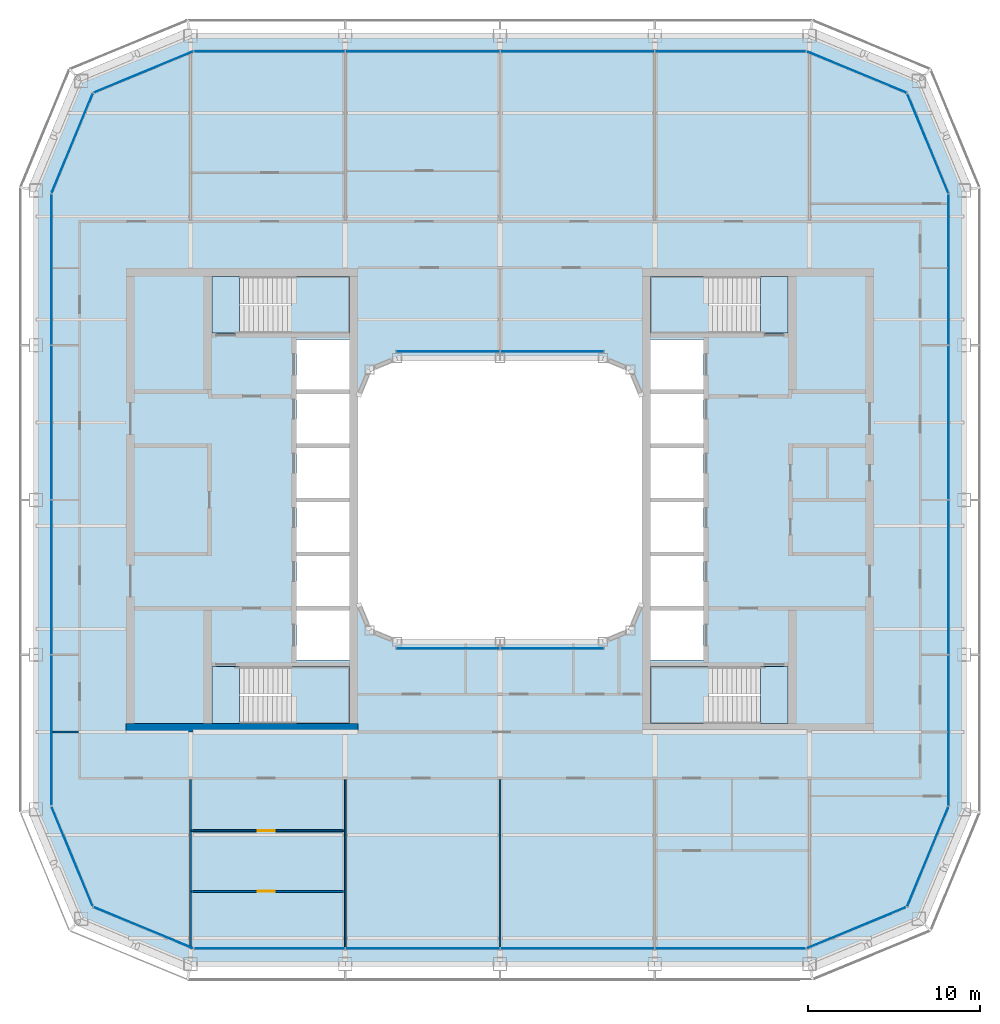
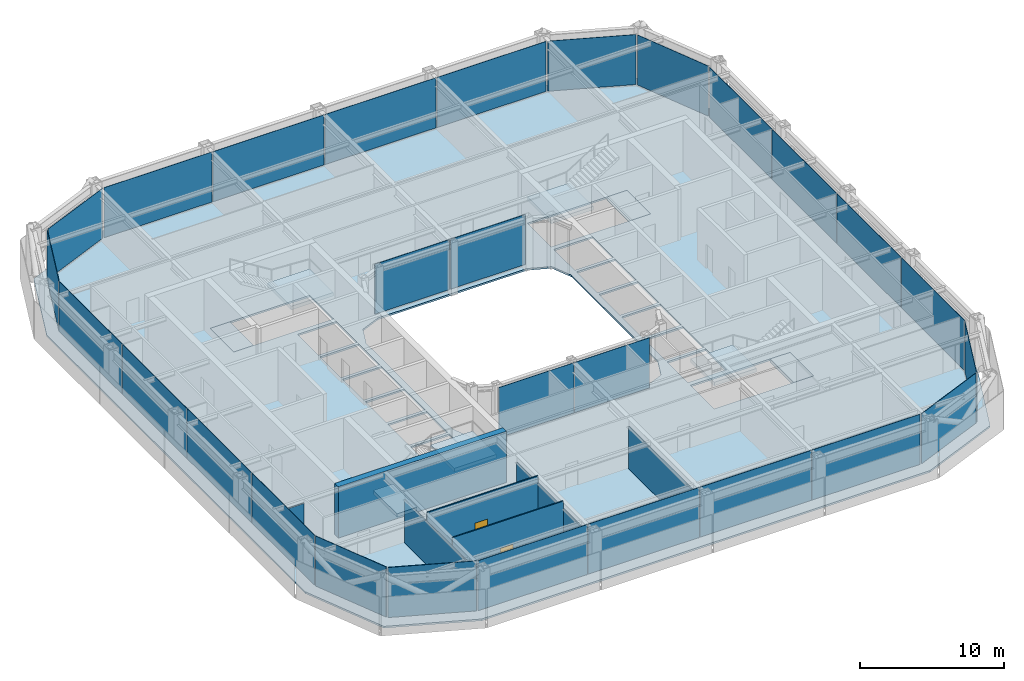
# One storey, part 11 of 19: 28 plates, 9 slabs, 7 walls, 2 doors, 2 openings, 18 elements without a shape of their own.
"""IFC4 building model written with IfcOpenShell, lengths in metres."""

from ifc_helpers import new_model, si_unit, direction, frame, frame_2d, origin, origin_2d, place, context, subcontext, project, spatial, polyline, rectangle, outline, extrude, material, layer, layer_set, type_object, element, fill, aggregate, save


model = new_model("IFC4")

# Units and contexts
model_context = context("Model", 3, precision=1e-05, world=origin(), true_north=direction((0.0, 1.0)))
body_context = subcontext(model_context, "Body", "Model", "MODEL_VIEW")
ifc_project = project(units=[si_unit("LENGTHUNIT", "METRE"), si_unit("AREAUNIT", "SQUARE_METRE"), si_unit("VOLUMEUNIT", "CUBIC_METRE"), si_unit("PLANEANGLEUNIT", "RADIAN"), si_unit("MASSUNIT", "GRAM", prefix="KILO")], contexts=[model_context])

# Site, building, storey
site_placement = place(None, origin())
site = spatial("IfcSite", under=ifc_project, at=site_placement, CompositionType="ELEMENT")
building_placement = place(site_placement, origin())
building = spatial("IfcBuilding", under=site, at=building_placement, Name="Siwar Civic Tower", CompositionType="ELEMENT")
storey_placement = place(building_placement, frame((0.0, 0.0, 264.699951171875)))
storey = spatial("IfcBuildingStorey", under=building, at=storey_placement, Name="L57", CompositionType="ELEMENT", Elevation=264.699951171875)

# Stair, slabs
ifc_material_1 = material(Name="Concrete C40/50", Category="concrete")
stair_type = type_object("IfcStairType", Name="CORE-STAIR", PredefinedType="TWO_STRAIGHT_RUN_STAIR", material=ifc_material_1)
stair_1_placement = place(storey_placement, origin())
stair_1 = element("IfcStair", 1, at=stair_1_placement, inside=storey, type_object=stair_type, Name="Exit stair ST1", PredefinedType="TWO_STRAIGHT_RUN_STAIR")
ifc_material_2 = material(Name="Concrete C40/50", Category="concrete")
ifc_layer_1 = layer(ifc_material_2, 0.300048828125)
ifc_layer_set_1 = layer_set([ifc_layer_1], Name="Concrete C40/50")
slab_type_1 = type_object("IfcSlabType", Name="CORE-STAIR-LANDING", PredefinedType="LANDING", material=ifc_layer_set_1)
slab_1_placement = place(storey_placement, frame((0.0, 0.0, -0.300048828125)))
slab_1 = element("IfcSlab", 2, at=slab_1_placement, type_object=slab_type_1, Name="ST1 landing 1", PredefinedType="LANDING", context=body_context, shape_type="SweptSolid", body=[
    extrude(outline(polyline([(-15.14990234375, 13.0), (-16.75, 13.0), (-16.75, 9.699951171875), (-15.14990234375, 9.699951171875), (-15.14990234375, 13.0)])), origin(), (0.0, 0.0, 1.0), 0.300048828125),
])
slab_2_placement = place(storey_placement, frame((0.0, 0.0, 1.949951171875)))
slab_2 = element("IfcSlab", 3, at=slab_2_placement, type_object=slab_type_1, Name="ST1 landing 2", PredefinedType="LANDING", context=body_context, shape_type="SweptSolid", body=[
    extrude(outline(polyline([(-8.75, 13.0), (-12.139892578125, 13.0), (-12.139892578125, 9.699951171875), (-8.75, 9.699951171875), (-8.75, 13.0)])), origin(), (0.0, 0.0, 1.0), 0.300048828125),
])
aggregate(stair_1, [slab_1, slab_2])

stair_2_placement = place(storey_placement, origin())
stair_2 = element("IfcStair", 4, at=stair_2_placement, inside=storey, type_object=stair_type, Name="Exit stair ST2", PredefinedType="TWO_STRAIGHT_RUN_STAIR")
slab_3_placement = place(storey_placement, frame((0.0, 0.0, -0.300048828125)))
slab_3 = element("IfcSlab", 5, at=slab_3_placement, type_object=slab_type_1, Name="ST2 landing 1", PredefinedType="LANDING", context=body_context, shape_type="SweptSolid", body=[
    extrude(outline(polyline([(-15.14990234375, -9.699951171875), (-16.75, -9.699951171875), (-16.75, -13.0), (-15.14990234375, -13.0), (-15.14990234375, -9.699951171875)])), origin(), (0.0, 0.0, 1.0), 0.300048828125),
])
slab_4_placement = place(storey_placement, frame((0.0, 0.0, 1.949951171875)))
slab_4 = element("IfcSlab", 6, at=slab_4_placement, type_object=slab_type_1, Name="ST2 landing 2", PredefinedType="LANDING", context=body_context, shape_type="SweptSolid", body=[
    extrude(outline(polyline([(-8.75, -9.699951171875), (-12.139892578125, -9.699951171875), (-12.139892578125, -13.0), (-8.75, -13.0), (-8.75, -9.699951171875)])), origin(), (0.0, 0.0, 1.0), 0.300048828125),
])
aggregate(stair_2, [slab_3, slab_4])

stair_3_placement = place(storey_placement, origin())
stair_3 = element("IfcStair", 7, at=stair_3_placement, inside=storey, type_object=stair_type, Name="Exit stair ST3", PredefinedType="TWO_STRAIGHT_RUN_STAIR")
slab_5_placement = place(storey_placement, frame((0.0, 0.0, -0.300048828125)))
slab_5 = element("IfcSlab", 8, at=slab_5_placement, type_object=slab_type_1, Name="ST3 landing 1", PredefinedType="LANDING", context=body_context, shape_type="SweptSolid", body=[
    extrude(outline(polyline([(15.14990234375, 9.699951171875), (16.75, 9.699951171875), (16.75, 13.0), (15.14990234375, 13.0), (15.14990234375, 9.699951171875)])), origin(), (0.0, 0.0, 1.0), 0.300048828125),
])
slab_6_placement = place(storey_placement, frame((0.0, 0.0, 1.949951171875)))
slab_6 = element("IfcSlab", 9, at=slab_6_placement, type_object=slab_type_1, Name="ST3 landing 2", PredefinedType="LANDING", context=body_context, shape_type="SweptSolid", body=[
    extrude(outline(polyline([(8.75, 9.699951171875), (12.139892578125, 9.699951171875), (12.139892578125, 13.0), (8.75, 13.0), (8.75, 9.699951171875)])), origin(), (0.0, 0.0, 1.0), 0.300048828125),
])
aggregate(stair_3, [slab_5, slab_6])

stair_4_placement = place(storey_placement, origin())
stair_4 = element("IfcStair", 10, at=stair_4_placement, inside=storey, type_object=stair_type, Name="Exit stair ST4", PredefinedType="TWO_STRAIGHT_RUN_STAIR")
slab_7_placement = place(storey_placement, frame((0.0, 0.0, -0.300048828125)))
slab_7 = element("IfcSlab", 11, at=slab_7_placement, type_object=slab_type_1, Name="ST4 landing 1", PredefinedType="LANDING", context=body_context, shape_type="SweptSolid", body=[
    extrude(outline(polyline([(15.14990234375, -13.0), (16.75, -13.0), (16.75, -9.699951171875), (15.14990234375, -9.699951171875), (15.14990234375, -13.0)])), origin(), (0.0, 0.0, 1.0), 0.300048828125),
])
slab_8_placement = place(storey_placement, frame((0.0, 0.0, 1.949951171875)))
slab_8 = element("IfcSlab", 12, at=slab_8_placement, type_object=slab_type_1, Name="ST4 landing 2", PredefinedType="LANDING", context=body_context, shape_type="SweptSolid", body=[
    extrude(outline(polyline([(8.75, -13.0), (12.139892578125, -13.0), (12.139892578125, -9.699951171875), (8.75, -9.699951171875), (8.75, -13.0)])), origin(), (0.0, 0.0, 1.0), 0.300048828125),
])
aggregate(stair_4, [slab_7, slab_8])

# Curtain wall, plates
ifc_material_3 = material(Name="Aluminium and glass", Category="aluminium")
ifc_layer_2 = layer(ifc_material_3, 0.179931640625)
ifc_layer_set_2 = layer_set([ifc_layer_2], Name="Aluminium and glass")
curtain_wall_type_1 = type_object("IfcCurtainWallType", Name="ENV-CW-C", PredefinedType="NOTDEFINED", material=ifc_layer_set_2)
curtain_wall_1_placement = place(storey_placement, origin())
curtain_wall_1 = element("IfcCurtainWall", 13, at=curtain_wall_1_placement, inside=storey, type_object=curtain_wall_type_1, Name="Curtain wall C S", PredefinedType="NOTDEFINED")
ifc_material_4 = material(Name="Glass clear laminated", Category="glass")
ifc_layer_3 = layer(ifc_material_4, 0.031982421875)
ifc_layer_set_3 = layer_set([ifc_layer_3], Name="Glass clear laminated")
plate_type_1 = type_object("IfcPlateType", Name="ENV-PANEL-C", PredefinedType="CURTAIN_PANEL", material=ifc_layer_set_3)
plate_1_placement = place(storey_placement, frame((-13.410400390625, -26.10009765625, 0.10009765625), z_axis=(0.0, 0.0, 1.0), x_axis=(1.0, 0.0, 0.0)))
plate_1 = element("IfcPlate", 14, at=plate_1_placement, type_object=plate_type_1, Name="Curtain panel C S 1", PredefinedType="CURTAIN_PANEL", context=body_context, shape_type="SweptSolid", body=[
    extrude(rectangle(XDim=8.760986328125, YDim=0.031982421875, at=origin_2d()), origin(), (0.0, 0.0, 1.0), 4.25),
])
plate_2_placement = place(storey_placement, frame((-4.5, -26.10009765625, 0.10009765625), z_axis=(0.0, 0.0, 1.0), x_axis=(1.0, 0.0, 0.0)))
plate_2 = element("IfcPlate", 15, at=plate_2_placement, type_object=plate_type_1, Name="Curtain panel C S 2", PredefinedType="CURTAIN_PANEL", context=body_context, shape_type="SweptSolid", body=[
    extrude(rectangle(XDim=8.93994140625, YDim=0.031982421875, at=origin_2d()), origin(), (0.0, 0.0, 1.0), 4.25),
])
plate_3_placement = place(storey_placement, frame((4.5, -26.10009765625, 0.10009765625), z_axis=(0.0, 0.0, 1.0), x_axis=(1.0, 0.0, 0.0)))
plate_3 = element("IfcPlate", 16, at=plate_3_placement, type_object=plate_type_1, Name="Curtain panel C S 3", PredefinedType="CURTAIN_PANEL", context=body_context, shape_type="SweptSolid", body=[
    extrude(rectangle(XDim=8.93994140625, YDim=0.031982421875, at=origin_2d()), origin(), (0.0, 0.0, 1.0), 4.25),
])
plate_4_placement = place(storey_placement, frame((13.373046875, -26.10009765625, 0.10009765625), z_axis=(0.0, 0.0, 1.0), x_axis=(1.0, 0.0, 0.0)))
plate_4 = element("IfcPlate", 17, at=plate_4_placement, type_object=plate_type_1, Name="Curtain panel C S 4", PredefinedType="CURTAIN_PANEL", context=body_context, shape_type="SweptSolid", body=[
    extrude(rectangle(XDim=8.68603515625, YDim=0.031982421875, at=origin_2d()), origin(), (0.0, 0.0, 1.0), 4.25),
])
aggregate(curtain_wall_1, [plate_1, plate_2, plate_3, plate_4])

curtain_wall_2_placement = place(storey_placement, origin())
curtain_wall_2 = element("IfcCurtainWall", 18, at=curtain_wall_2_placement, inside=storey, type_object=curtain_wall_type_1, Name="Curtain wall C E", PredefinedType="NOTDEFINED")
plate_5_placement = place(storey_placement, frame((26.10009765625, -13.410400390625, 0.10009765625), z_axis=(0.0, 0.0, 1.0), x_axis=(0.0, 1.0, 0.0)))
plate_5 = element("IfcPlate", 19, at=plate_5_placement, type_object=plate_type_1, Name="Curtain panel C E 1", PredefinedType="CURTAIN_PANEL", context=body_context, shape_type="SweptSolid", body=[
    extrude(rectangle(XDim=8.760986328125, YDim=0.031982421875, at=origin_2d()), origin(), (0.0, 0.0, 1.0), 4.25),
])
plate_6_placement = place(storey_placement, frame((26.10009765625, -4.5, 0.10009765625), z_axis=(0.0, 0.0, 1.0), x_axis=(0.0, 1.0, 0.0)))
plate_6 = element("IfcPlate", 20, at=plate_6_placement, type_object=plate_type_1, Name="Curtain panel C E 2", PredefinedType="CURTAIN_PANEL", context=body_context, shape_type="SweptSolid", body=[
    extrude(rectangle(XDim=8.93994140625, YDim=0.031982421875, at=origin_2d()), origin(), (0.0, 0.0, 1.0), 4.25),
])
plate_7_placement = place(storey_placement, frame((26.10009765625, 4.5, 0.10009765625), z_axis=(0.0, 0.0, 1.0), x_axis=(0.0, 1.0, 0.0)))
plate_7 = element("IfcPlate", 21, at=plate_7_placement, type_object=plate_type_1, Name="Curtain panel C E 3", PredefinedType="CURTAIN_PANEL", context=body_context, shape_type="SweptSolid", body=[
    extrude(rectangle(XDim=8.93994140625, YDim=0.031982421875, at=origin_2d()), origin(), (0.0, 0.0, 1.0), 4.25),
])
plate_8_placement = place(storey_placement, frame((26.10009765625, 13.373046875, 0.10009765625), z_axis=(0.0, 0.0, 1.0), x_axis=(0.0, 1.0, 0.0)))
plate_8 = element("IfcPlate", 22, at=plate_8_placement, type_object=plate_type_1, Name="Curtain panel C E 4", PredefinedType="CURTAIN_PANEL", context=body_context, shape_type="SweptSolid", body=[
    extrude(rectangle(XDim=8.68603515625, YDim=0.031982421875, at=origin_2d()), origin(), (0.0, 0.0, 1.0), 4.25),
])
aggregate(curtain_wall_2, [plate_5, plate_6, plate_7, plate_8])

curtain_wall_3_placement = place(storey_placement, origin())
curtain_wall_3 = element("IfcCurtainWall", 23, at=curtain_wall_3_placement, inside=storey, type_object=curtain_wall_type_1, Name="Curtain wall C N", PredefinedType="NOTDEFINED")
plate_9_placement = place(storey_placement, frame((13.410400390625, 26.10009765625, 0.10009765625), z_axis=(0.0, 0.0, 1.0), x_axis=(-1.0, 0.0, 0.0)))
plate_9 = element("IfcPlate", 24, at=plate_9_placement, type_object=plate_type_1, Name="Curtain panel C N 1", PredefinedType="CURTAIN_PANEL", context=body_context, shape_type="SweptSolid", body=[
    extrude(rectangle(XDim=8.760986328125, YDim=0.031982421875, at=origin_2d()), origin(), (0.0, 0.0, 1.0), 4.25),
])
plate_10_placement = place(storey_placement, frame((4.5, 26.10009765625, 0.10009765625), z_axis=(0.0, 0.0, 1.0), x_axis=(-1.0, 0.0, 0.0)))
plate_10 = element("IfcPlate", 25, at=plate_10_placement, type_object=plate_type_1, Name="Curtain panel C N 2", PredefinedType="CURTAIN_PANEL", context=body_context, shape_type="SweptSolid", body=[
    extrude(rectangle(XDim=8.93994140625, YDim=0.031982421875, at=origin_2d()), origin(), (0.0, 0.0, 1.0), 4.25),
])
plate_11_placement = place(storey_placement, frame((-4.5, 26.10009765625, 0.10009765625), z_axis=(0.0, 0.0, 1.0), x_axis=(-1.0, 0.0, 0.0)))
plate_11 = element("IfcPlate", 26, at=plate_11_placement, type_object=plate_type_1, Name="Curtain panel C N 3", PredefinedType="CURTAIN_PANEL", context=body_context, shape_type="SweptSolid", body=[
    extrude(rectangle(XDim=8.93994140625, YDim=0.031982421875, at=origin_2d()), origin(), (0.0, 0.0, 1.0), 4.25),
])
plate_12_placement = place(storey_placement, frame((-13.373046875, 26.10009765625, 0.10009765625), z_axis=(0.0, 0.0, 1.0), x_axis=(-1.0, 0.0, 0.0)))
plate_12 = element("IfcPlate", 27, at=plate_12_placement, type_object=plate_type_1, Name="Curtain panel C N 4", PredefinedType="CURTAIN_PANEL", context=body_context, shape_type="SweptSolid", body=[
    extrude(rectangle(XDim=8.68603515625, YDim=0.031982421875, at=origin_2d()), origin(), (0.0, 0.0, 1.0), 4.25),
])
aggregate(curtain_wall_3, [plate_9, plate_10, plate_11, plate_12])

curtain_wall_4_placement = place(storey_placement, origin())
curtain_wall_4 = element("IfcCurtainWall", 28, at=curtain_wall_4_placement, inside=storey, type_object=curtain_wall_type_1, Name="Curtain wall C W", PredefinedType="NOTDEFINED")
plate_13_placement = place(storey_placement, frame((-26.10009765625, 13.410400390625, 0.10009765625), z_axis=(0.0, 0.0, 1.0), x_axis=(0.0, -1.0, 0.0)))
plate_13 = element("IfcPlate", 29, at=plate_13_placement, type_object=plate_type_1, Name="Curtain panel C W 1", PredefinedType="CURTAIN_PANEL", context=body_context, shape_type="SweptSolid", body=[
    extrude(rectangle(XDim=8.760986328125, YDim=0.031982421875, at=origin_2d()), origin(), (0.0, 0.0, 1.0), 4.25),
])
plate_14_placement = place(storey_placement, frame((-26.10009765625, 4.5, 0.10009765625), z_axis=(0.0, 0.0, 1.0), x_axis=(0.0, -1.0, 0.0)))
plate_14 = element("IfcPlate", 30, at=plate_14_placement, type_object=plate_type_1, Name="Curtain panel C W 2", PredefinedType="CURTAIN_PANEL", context=body_context, shape_type="SweptSolid", body=[
    extrude(rectangle(XDim=8.93994140625, YDim=0.031982421875, at=origin_2d()), origin(), (0.0, 0.0, 1.0), 4.25),
])
plate_15_placement = place(storey_placement, frame((-26.10009765625, -4.5, 0.10009765625), z_axis=(0.0, 0.0, 1.0), x_axis=(0.0, -1.0, 0.0)))
plate_15 = element("IfcPlate", 31, at=plate_15_placement, type_object=plate_type_1, Name="Curtain panel C W 3", PredefinedType="CURTAIN_PANEL", context=body_context, shape_type="SweptSolid", body=[
    extrude(rectangle(XDim=8.93994140625, YDim=0.031982421875, at=origin_2d()), origin(), (0.0, 0.0, 1.0), 4.25),
])
plate_16_placement = place(storey_placement, frame((-26.10009765625, -13.373046875, 0.10009765625), z_axis=(0.0, 0.0, 1.0), x_axis=(0.0, -1.0, 0.0)))
plate_16 = element("IfcPlate", 32, at=plate_16_placement, type_object=plate_type_1, Name="Curtain panel C W 4", PredefinedType="CURTAIN_PANEL", context=body_context, shape_type="SweptSolid", body=[
    extrude(rectangle(XDim=8.68603515625, YDim=0.031982421875, at=origin_2d()), origin(), (0.0, 0.0, 1.0), 4.25),
])
aggregate(curtain_wall_4, [plate_13, plate_14, plate_15, plate_16])

# Curtain wall, plate
ifc_material_5 = material(Name="Aluminium clad insulated panel", Category="aluminium")
ifc_layer_4 = layer(ifc_material_5, 0.179931640625)
ifc_layer_set_4 = layer_set([ifc_layer_4], Name="Aluminium clad insulated panel")
curtain_wall_type_2 = type_object("IfcCurtainWallType", Name="ENV-CW-CX", PredefinedType="NOTDEFINED", material=ifc_layer_set_4)
curtain_wall_5_placement = place(storey_placement, origin())
curtain_wall_5 = element("IfcCurtainWall", 33, at=curtain_wall_5_placement, inside=storey, type_object=curtain_wall_type_2, Name="Curtain wall C SE1", PredefinedType="NOTDEFINED")
ifc_material_6 = material(Name="Aluminium clad insulated panel", Category="aluminium")
ifc_layer_5 = layer(ifc_material_6, 0.031982421875)
ifc_layer_set_5 = layer_set([ifc_layer_5], Name="Aluminium clad insulated panel")
plate_type_2 = type_object("IfcPlateType", Name="ENV-PANEL-CX", PredefinedType="CURTAIN_PANEL", material=ifc_layer_set_5)
plate_17_placement = place(storey_placement, frame((20.71337890625, -24.90185546875, 0.10009765625), z_axis=(0.0, 0.0, 1.0), x_axis=(0.923879532511, 0.382683432365, 0.0)))
plate_17 = element("IfcPlate", 34, at=plate_17_placement, type_object=plate_type_2, Name="Curtain panel C SE1 1", PredefinedType="CURTAIN_PANEL", context=body_context, shape_type="SweptSolid", body=[
    extrude(rectangle(XDim=6.20166015625, YDim=0.031982421875, at=origin_2d()), origin(), (0.0, 0.0, 1.0), 4.25),
])
aggregate(curtain_wall_5, [plate_17])

curtain_wall_6_placement = place(storey_placement, origin())
curtain_wall_6 = element("IfcCurtainWall", 35, at=curtain_wall_6_placement, inside=storey, type_object=curtain_wall_type_2, Name="Curtain wall C SE2", PredefinedType="NOTDEFINED")
plate_18_placement = place(storey_placement, frame((24.873291015625, -20.78271484375, 0.10009765625), z_axis=(0.0, 0.0, 1.0), x_axis=(0.382683432365, 0.923879532511, 0.0)))
plate_18 = element("IfcPlate", 36, at=plate_18_placement, type_object=plate_type_2, Name="Curtain panel C SE2 1", PredefinedType="CURTAIN_PANEL", context=body_context, shape_type="SweptSolid", body=[
    extrude(rectangle(XDim=6.20166015625, YDim=0.031982421875, at=origin_2d()), origin(), (0.0, 0.0, 1.0), 4.25),
])
aggregate(curtain_wall_6, [plate_18])

curtain_wall_7_placement = place(storey_placement, origin())
curtain_wall_7 = element("IfcCurtainWall", 37, at=curtain_wall_7_placement, inside=storey, type_object=curtain_wall_type_2, Name="Curtain wall C NE1", PredefinedType="NOTDEFINED")
plate_19_placement = place(storey_placement, frame((24.90185546875, 20.71337890625, 0.10009765625), z_axis=(0.0, 0.0, 1.0), x_axis=(-0.382683432365, 0.923879532511, 0.0)))
plate_19 = element("IfcPlate", 38, at=plate_19_placement, type_object=plate_type_2, Name="Curtain panel C NE1 1", PredefinedType="CURTAIN_PANEL", context=body_context, shape_type="SweptSolid", body=[
    extrude(rectangle(XDim=6.20166015625, YDim=0.031982421875, at=origin_2d()), origin(), (0.0, 0.0, 1.0), 4.25),
])
aggregate(curtain_wall_7, [plate_19])

curtain_wall_8_placement = place(storey_placement, origin())
curtain_wall_8 = element("IfcCurtainWall", 39, at=curtain_wall_8_placement, inside=storey, type_object=curtain_wall_type_2, Name="Curtain wall C NE2", PredefinedType="NOTDEFINED")
plate_20_placement = place(storey_placement, frame((20.78271484375, 24.873291015625, 0.10009765625), z_axis=(0.0, 0.0, 1.0), x_axis=(-0.923879532511, 0.382683432365, 0.0)))
plate_20 = element("IfcPlate", 40, at=plate_20_placement, type_object=plate_type_2, Name="Curtain panel C NE2 1", PredefinedType="CURTAIN_PANEL", context=body_context, shape_type="SweptSolid", body=[
    extrude(rectangle(XDim=6.20166015625, YDim=0.031982421875, at=origin_2d()), origin(), (0.0, 0.0, 1.0), 4.25),
])
aggregate(curtain_wall_8, [plate_20])

curtain_wall_9_placement = place(storey_placement, origin())
curtain_wall_9 = element("IfcCurtainWall", 41, at=curtain_wall_9_placement, inside=storey, type_object=curtain_wall_type_2, Name="Curtain wall C NW1", PredefinedType="NOTDEFINED")
plate_21_placement = place(storey_placement, frame((-20.71337890625, 24.90185546875, 0.10009765625), z_axis=(0.0, 0.0, 1.0), x_axis=(-0.923879532511, -0.382683432365, 0.0)))
plate_21 = element("IfcPlate", 42, at=plate_21_placement, type_object=plate_type_2, Name="Curtain panel C NW1 1", PredefinedType="CURTAIN_PANEL", context=body_context, shape_type="SweptSolid", body=[
    extrude(rectangle(XDim=6.20166015625, YDim=0.031982421875, at=origin_2d()), origin(), (0.0, 0.0, 1.0), 4.25),
])
aggregate(curtain_wall_9, [plate_21])

curtain_wall_10_placement = place(storey_placement, origin())
curtain_wall_10 = element("IfcCurtainWall", 43, at=curtain_wall_10_placement, inside=storey, type_object=curtain_wall_type_2, Name="Curtain wall C NW2", PredefinedType="NOTDEFINED")
plate_22_placement = place(storey_placement, frame((-24.873291015625, 20.78271484375, 0.10009765625), z_axis=(0.0, 0.0, 1.0), x_axis=(-0.382683432365, -0.923879532511, 0.0)))
plate_22 = element("IfcPlate", 44, at=plate_22_placement, type_object=plate_type_2, Name="Curtain panel C NW2 1", PredefinedType="CURTAIN_PANEL", context=body_context, shape_type="SweptSolid", body=[
    extrude(rectangle(XDim=6.20166015625, YDim=0.031982421875, at=origin_2d()), origin(), (0.0, 0.0, 1.0), 4.25),
])
aggregate(curtain_wall_10, [plate_22])

curtain_wall_11_placement = place(storey_placement, origin())
curtain_wall_11 = element("IfcCurtainWall", 45, at=curtain_wall_11_placement, inside=storey, type_object=curtain_wall_type_2, Name="Curtain wall C SW1", PredefinedType="NOTDEFINED")
plate_23_placement = place(storey_placement, frame((-24.90185546875, -20.71337890625, 0.10009765625), z_axis=(0.0, 0.0, 1.0), x_axis=(0.382683432365, -0.923879532511, 0.0)))
plate_23 = element("IfcPlate", 46, at=plate_23_placement, type_object=plate_type_2, Name="Curtain panel C SW1 1", PredefinedType="CURTAIN_PANEL", context=body_context, shape_type="SweptSolid", body=[
    extrude(rectangle(XDim=6.20166015625, YDim=0.031982421875, at=origin_2d()), origin(), (0.0, 0.0, 1.0), 4.25),
])
aggregate(curtain_wall_11, [plate_23])

curtain_wall_12_placement = place(storey_placement, origin())
curtain_wall_12 = element("IfcCurtainWall", 47, at=curtain_wall_12_placement, inside=storey, type_object=curtain_wall_type_2, Name="Curtain wall C SW2", PredefinedType="NOTDEFINED")
plate_24_placement = place(storey_placement, frame((-20.78271484375, -24.873291015625, 0.10009765625), z_axis=(0.0, 0.0, 1.0), x_axis=(0.923879532511, -0.382683432365, 0.0)))
plate_24 = element("IfcPlate", 48, at=plate_24_placement, type_object=plate_type_2, Name="Curtain panel C SW2 1", PredefinedType="CURTAIN_PANEL", context=body_context, shape_type="SweptSolid", body=[
    extrude(rectangle(XDim=6.20166015625, YDim=0.031982421875, at=origin_2d()), origin(), (0.0, 0.0, 1.0), 4.25),
])
aggregate(curtain_wall_12, [plate_24])

# Curtain wall, plates
ifc_material_7 = material(Name="Aluminium and glass", Category="aluminium")
ifc_layer_6 = layer(ifc_material_7, 0.179931640625)
ifc_layer_set_6 = layer_set([ifc_layer_6], Name="Aluminium and glass")
curtain_wall_type_3 = type_object("IfcCurtainWallType", Name="ENV-CW-W", PredefinedType="NOTDEFINED", material=ifc_layer_set_6)
curtain_wall_13_placement = place(storey_placement, origin())
curtain_wall_13 = element("IfcCurtainWall", 49, at=curtain_wall_13_placement, inside=storey, type_object=curtain_wall_type_3, Name="Curtain wall W WS", PredefinedType="NOTDEFINED")
ifc_material_8 = material(Name="Glass clear laminated", Category="glass")
ifc_layer_7 = layer(ifc_material_8, 0.031982421875)
ifc_layer_set_7 = layer_set([ifc_layer_7], Name="Glass clear laminated")
plate_type_3 = type_object("IfcPlateType", Name="ENV-PANEL-W", PredefinedType="CURTAIN_PANEL", material=ifc_layer_set_7)
plate_25_placement = place(storey_placement, frame((-3.038330078125, -8.635009765625, 0.10009765625), z_axis=(0.0, 0.0, 1.0), x_axis=(1.0, 0.0, 0.0)))
plate_25 = element("IfcPlate", 50, at=plate_25_placement, type_object=plate_type_3, Name="Curtain panel W WS 1", PredefinedType="CURTAIN_PANEL", context=body_context, shape_type="SweptSolid", body=[
    extrude(rectangle(XDim=6.0166015625, YDim=0.031982421875, at=origin_2d()), origin(), (0.0, 0.0, 1.0), 4.25),
])
plate_26_placement = place(storey_placement, frame((3.038330078125, -8.635009765625, 0.10009765625), z_axis=(0.0, 0.0, 1.0), x_axis=(1.0, 0.0, 0.0)))
plate_26 = element("IfcPlate", 51, at=plate_26_placement, type_object=plate_type_3, Name="Curtain panel W WS 2", PredefinedType="CURTAIN_PANEL", context=body_context, shape_type="SweptSolid", body=[
    extrude(rectangle(XDim=6.0166015625, YDim=0.031982421875, at=origin_2d()), origin(), (0.0, 0.0, 1.0), 4.25),
])
aggregate(curtain_wall_13, [plate_25, plate_26])

curtain_wall_14_placement = place(storey_placement, origin())
curtain_wall_14 = element("IfcCurtainWall", 52, at=curtain_wall_14_placement, inside=storey, type_object=curtain_wall_type_3, Name="Curtain wall W WN", PredefinedType="NOTDEFINED")
plate_27_placement = place(storey_placement, frame((3.038330078125, 8.635009765625, 0.10009765625), z_axis=(0.0, 0.0, 1.0), x_axis=(-1.0, 0.0, 0.0)))
plate_27 = element("IfcPlate", 53, at=plate_27_placement, type_object=plate_type_3, Name="Curtain panel W WN 1", PredefinedType="CURTAIN_PANEL", context=body_context, shape_type="SweptSolid", body=[
    extrude(rectangle(XDim=6.0166015625, YDim=0.031982421875, at=origin_2d()), origin(), (0.0, 0.0, 1.0), 4.25),
])
plate_28_placement = place(storey_placement, frame((-3.038330078125, 8.635009765625, 0.10009765625), z_axis=(0.0, 0.0, 1.0), x_axis=(-1.0, 0.0, 0.0)))
plate_28 = element("IfcPlate", 54, at=plate_28_placement, type_object=plate_type_3, Name="Curtain panel W WN 2", PredefinedType="CURTAIN_PANEL", context=body_context, shape_type="SweptSolid", body=[
    extrude(rectangle(XDim=6.0166015625, YDim=0.031982421875, at=origin_2d()), origin(), (0.0, 0.0, 1.0), 4.25),
])
aggregate(curtain_wall_14, [plate_27, plate_28])

# Slab
ifc_material_9 = material(Name="Concrete C40/50", Category="concrete")
ifc_layer_8 = layer(ifc_material_9, 0.14990234375)
ifc_layer_set_8 = layer_set([ifc_layer_8], Name="Concrete C40/50")
slab_type_2 = type_object("IfcSlabType", Name="STR-FLOOR-DECK-150", PredefinedType="FLOOR", material=ifc_layer_set_8)
slab_9_placement = place(storey_placement, frame((0.0, 0.0, -0.14990234375)))
element("IfcSlab", 55, at=slab_9_placement, inside=storey, type_object=slab_type_2, Name="L57/slab/1", PredefinedType="FLOOR", context=body_context, shape_type="SweptSolid", body=[
    extrude(outline(polyline([(-18.0, -27.0), (18.0, -27.0), (24.364013671875, -24.364013671875), (27.0, -18.0), (27.0, 18.0), (24.364013671875, 24.364013671875), (18.0, 27.0), (-18.0, 27.0), (-24.364013671875, 24.364013671875), (-27.0, 18.0), (-27.0, -18.0), (-24.364013671875, -24.364013671875), (-18.0, -27.0)]), holes=[polyline([(16.75, 13.0), (16.75, 9.699951171875), (8.75, 9.699951171875), (8.75, 13.0), (16.75, 13.0)]), polyline([(8.75, -9.699951171875), (16.75, -9.699951171875), (16.75, -13.0), (8.75, -13.0), (8.75, -9.699951171875)]), polyline([(11.85009765625, 9.324951171875), (11.85009765625, 6.425048828125), (8.75, 6.425048828125), (8.75, 9.324951171875), (11.85009765625, 9.324951171875)]), polyline([(8.75, 6.175048828125), (11.85009765625, 6.175048828125), (11.85009765625, 3.27490234375), (8.75, 3.27490234375), (8.75, 6.175048828125)]), polyline([(8.75, 3.02490234375), (11.85009765625, 3.02490234375), (11.85009765625, 0.125), (8.75, 0.125), (8.75, 3.02490234375)]), polyline([(8.75, -0.125), (11.85009765625, -0.125), (11.85009765625, -3.02490234375), (8.75, -3.02490234375), (8.75, -0.125)]), polyline([(8.75, -3.27490234375), (11.85009765625, -3.27490234375), (11.85009765625, -6.175048828125), (8.75, -6.175048828125), (8.75, -3.27490234375)]), polyline([(8.75, -6.425048828125), (11.85009765625, -6.425048828125), (11.85009765625, -9.324951171875), (8.75, -9.324951171875), (8.75, -6.425048828125)]), polyline([(-6.0, 8.25), (6.0, 8.25), (7.591064453125, 7.591064453125), (8.25, 6.0), (8.25, -6.0), (7.591064453125, -7.591064453125), (6.0, -8.25), (-6.0, -8.25), (-7.591064453125, -7.591064453125), (-8.25, -6.0), (-8.25, 6.0), (-7.591064453125, 7.591064453125), (-6.0, 8.25)]), polyline([(-8.75, -13.0), (-16.75, -13.0), (-16.75, -9.699951171875), (-8.75, -9.699951171875), (-8.75, -13.0)]), polyline([(-8.75, 9.699951171875), (-16.75, 9.699951171875), (-16.75, 13.0), (-8.75, 13.0), (-8.75, 9.699951171875)]), polyline([(-8.75, 6.425048828125), (-11.85009765625, 6.425048828125), (-11.85009765625, 9.324951171875), (-8.75, 9.324951171875), (-8.75, 6.425048828125)]), polyline([(-8.75, 3.27490234375), (-11.85009765625, 3.27490234375), (-11.85009765625, 6.175048828125), (-8.75, 6.175048828125), (-8.75, 3.27490234375)]), polyline([(-8.75, 0.125), (-11.85009765625, 0.125), (-11.85009765625, 3.02490234375), (-8.75, 3.02490234375), (-8.75, 0.125)]), polyline([(-8.75, -3.02490234375), (-11.85009765625, -3.02490234375), (-11.85009765625, -0.125), (-8.75, -0.125), (-8.75, -3.02490234375)]), polyline([(-8.75, -6.175048828125), (-11.85009765625, -6.175048828125), (-11.85009765625, -3.27490234375), (-8.75, -3.27490234375), (-8.75, -6.175048828125)]), polyline([(-8.75, -9.324951171875), (-11.85009765625, -9.324951171875), (-11.85009765625, -6.425048828125), (-8.75, -6.425048828125), (-8.75, -9.324951171875)])]), origin(), (0.0, 0.0, 1.0), 0.14990234375),
])

# Wall
ifc_material_10 = material(Name="Concrete C60/75", Category="concrete")
ifc_layer_9 = layer(ifc_material_10, 0.5)
ifc_layer_set_9 = layer_set([ifc_layer_9], Name="Concrete C60/75")
wall_type_1 = type_object("IfcWallType", Name="CORE-WALL-RC500", PredefinedType="SHEAR", material=ifc_layer_set_9)
wall_1_placement = place(storey_placement, frame((-8.25, -13.25, 0.0), z_axis=(0.0, 0.0, 1.0), x_axis=(-1.0, 0.0, 0.0)))
element("IfcWall", 56, at=wall_1_placement, inside=storey, type_object=wall_type_1, Name="Core wall W", PredefinedType="SHEAR", context=body_context, shape_type="SweptSolid", body=[
    extrude(rectangle(XDim=13.5, YDim=0.5, at=frame_2d((6.75, 0.0))), origin(), (0.0, 0.0, 1.0), 4.35009765625),
])

# Wall, opening, door
ifc_material_11 = material(Name="Gypsum board on steel studs", Category="steel")
ifc_layer_10 = layer(ifc_material_11, 0.10009765625)
ifc_layer_set_10 = layer_set([ifc_layer_10], Name="Gypsum board on steel studs")
wall_type_2 = type_object("IfcWallType", Name="PARTITION 100 GYPSUM", PredefinedType="PARTITIONING", material=ifc_layer_set_10)
wall_2_placement = place(storey_placement, frame((-17.949951171875, -22.77294921875, 0.0), z_axis=(0.0, 0.0, 1.0), x_axis=(1.0, 0.0, 0.0)))
wall_2 = element("IfcWall", 57, at=wall_2_placement, inside=storey, type_object=wall_type_2, Name="L57/wall/P01", PredefinedType="PARTITIONING", context=body_context, shape_type="SweptSolid", body=[
    extrude(rectangle(XDim=8.89990234375, YDim=0.10009765625, at=frame_2d((4.449951171875, 0.0))), origin(), (0.0, 0.0, 1.0), 4.35009765625),
])
opening_1_placement = place(wall_2_placement, frame((3.85009765625, 0.0, 0.0)))
opening_1 = element("IfcOpeningElement", 58, at=opening_1_placement, cuts=wall_2, Name="Opening D2", PredefinedType="OPENING", context=body_context, shape_type="SweptSolid", body=[
    extrude(rectangle(XDim=1.0, YDim=2.10009765625, at=frame_2d((0.5, 1.050048828125))), frame((0.0, 0.06005859375, 0.0), z_axis=(0.0, -1.0, 0.0), x_axis=(1.0, 0.0, 0.0)), (0.0, 0.0, 1.0), 0.1201171875),
])
ifc_material_12 = material(Name="Timber, painted", Category="wood")
door_type = type_object("IfcDoorType", Name="DOOR 1000 X 2100", OperationType="SINGLE_SWING_LEFT", PredefinedType="DOOR", material=ifc_material_12)
door_1_placement = place(opening_1_placement, origin())
door_1 = element("IfcDoor", 59, at=door_1_placement, inside=storey, type_object=door_type, Name="L57-D09", OperationType="SINGLE_SWING_LEFT", OverallHeight=2.10009765625, OverallWidth=1.0, PredefinedType="DOOR", context=body_context, shape_type="SweptSolid", body=[
    extrude(rectangle(XDim=1.0, YDim=2.10009765625, at=frame_2d((0.5, 1.050048828125))), frame((0.0, 0.02490234375, 0.0), z_axis=(0.0, -1.0, 0.0), x_axis=(1.0, 0.0, 0.0)), (0.0, 0.0, 1.0), 0.050048828125),
])
fill(opening_1, door_1)

wall_3_placement = place(storey_placement, frame((-17.949951171875, -19.240966796875, 0.0), z_axis=(0.0, 0.0, 1.0), x_axis=(1.0, 0.0, 0.0)))
wall_3 = element("IfcWall", 60, at=wall_3_placement, inside=storey, type_object=wall_type_2, Name="L57/wall/P03", PredefinedType="PARTITIONING", context=body_context, shape_type="SweptSolid", body=[
    extrude(rectangle(XDim=8.89990234375, YDim=0.10009765625, at=frame_2d((4.449951171875, 0.0))), origin(), (0.0, 0.0, 1.0), 4.35009765625),
])
opening_2_placement = place(wall_3_placement, frame((3.85009765625, 0.0, 0.0)))
opening_2 = element("IfcOpeningElement", 61, at=opening_2_placement, cuts=wall_3, Name="Opening D2", PredefinedType="OPENING", context=body_context, shape_type="SweptSolid", body=[
    extrude(rectangle(XDim=1.0, YDim=2.10009765625, at=frame_2d((0.5, 1.050048828125))), frame((0.0, 0.06005859375, 0.0), z_axis=(0.0, -1.0, 0.0), x_axis=(1.0, 0.0, 0.0)), (0.0, 0.0, 1.0), 0.1201171875),
])
door_2_placement = place(opening_2_placement, origin())
door_2 = element("IfcDoor", 62, at=door_2_placement, inside=storey, type_object=door_type, Name="L57-D08", OperationType="SINGLE_SWING_RIGHT", OverallHeight=2.10009765625, OverallWidth=1.0, PredefinedType="DOOR", context=body_context, shape_type="SweptSolid", body=[
    extrude(rectangle(XDim=1.0, YDim=2.10009765625, at=frame_2d((0.5, 1.050048828125))), frame((0.0, 0.02490234375, 0.0), z_axis=(0.0, -1.0, 0.0), x_axis=(1.0, 0.0, 0.0)), (0.0, 0.0, 1.0), 0.050048828125),
])
fill(opening_2, door_2)

# Walls
wall_4_placement = place(storey_placement, frame((-26.010009765625, -13.5, 0.0), z_axis=(0.0, 0.0, 1.0), x_axis=(1.0, 0.0, 0.0)))
element("IfcWall", 63, at=wall_4_placement, inside=storey, type_object=wall_type_2, Name="L57/wall/P06", PredefinedType="PARTITIONING", context=body_context, shape_type="SweptSolid", body=[
    extrude(rectangle(XDim=1.485107421875, YDim=0.10009765625, at=frame_2d((0.74267578125, 0.0))), origin(), (0.0, 0.0, 1.0), 3.949951171875),
])
wall_5_placement = place(storey_placement, frame((-18.0, -25.927978515625, 0.0), z_axis=(0.0, 0.0, 1.0), x_axis=(0.0, 1.0, 0.0)))
element("IfcWall", 64, at=wall_5_placement, inside=storey, type_object=wall_type_2, Name="L57/wall/P25", PredefinedType="PARTITIONING", context=body_context, shape_type="SweptSolid", body=[
    extrude(rectangle(XDim=9.653076171875, YDim=0.10009765625, at=frame_2d((4.82666015625, 0.0))), origin(), (0.0, 0.0, 1.0), 3.650146484375),
])
wall_6_placement = place(storey_placement, frame((-9.0, -26.010009765625, 0.0), z_axis=(0.0, 0.0, 1.0), x_axis=(0.0, 1.0, 0.0)))
element("IfcWall", 65, at=wall_6_placement, inside=storey, type_object=wall_type_2, Name="L57/wall/P27", PredefinedType="PARTITIONING", context=body_context, shape_type="SweptSolid", body=[
    extrude(rectangle(XDim=9.735107421875, YDim=0.10009765625, at=frame_2d((4.86767578125, 0.0))), origin(), (0.0, 0.0, 1.0), 3.650146484375),
])
wall_7_placement = place(storey_placement, frame((0.0, -26.010009765625, 0.0), z_axis=(0.0, 0.0, 1.0), x_axis=(0.0, 1.0, 0.0)))
element("IfcWall", 66, at=wall_7_placement, inside=storey, type_object=wall_type_2, Name="L57/wall/P30", PredefinedType="PARTITIONING", context=body_context, shape_type="SweptSolid", body=[
    extrude(rectangle(XDim=9.735107421875, YDim=0.10009765625, at=frame_2d((4.86767578125, 0.0))), origin(), (0.0, 0.0, 1.0), 3.550048828125),
])

save(model, "model.ifc")
